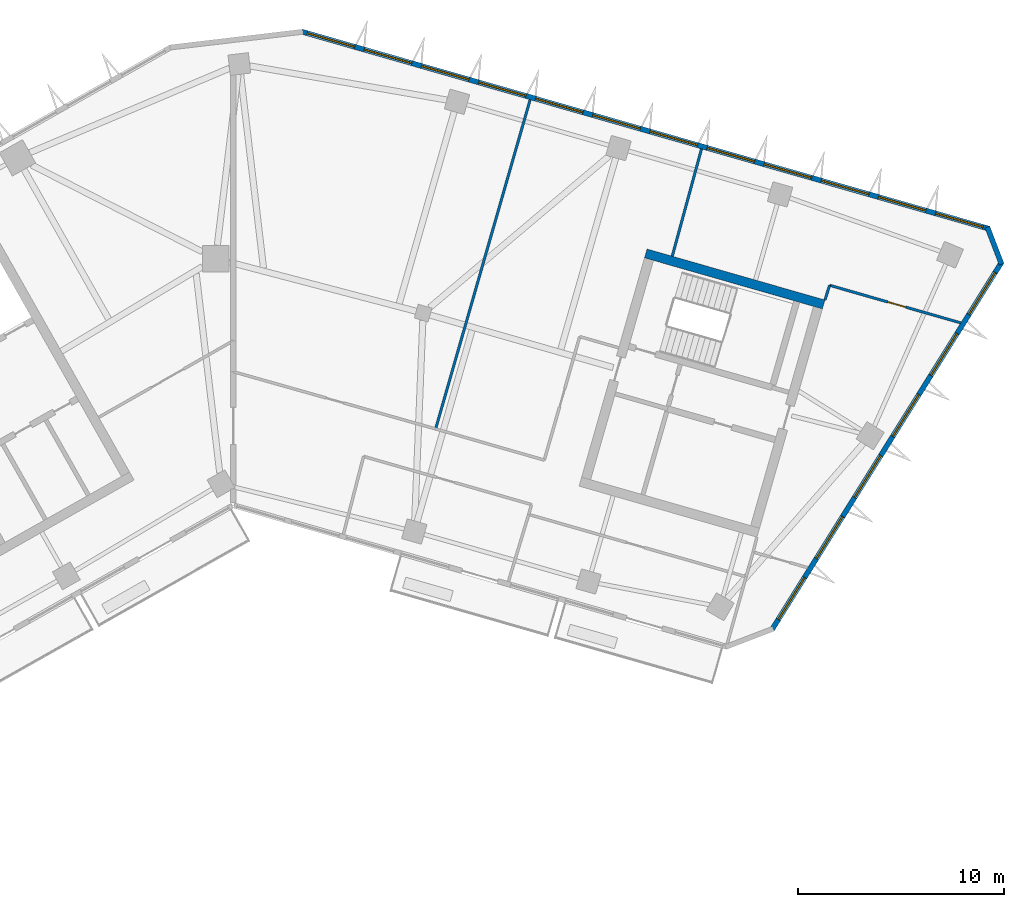
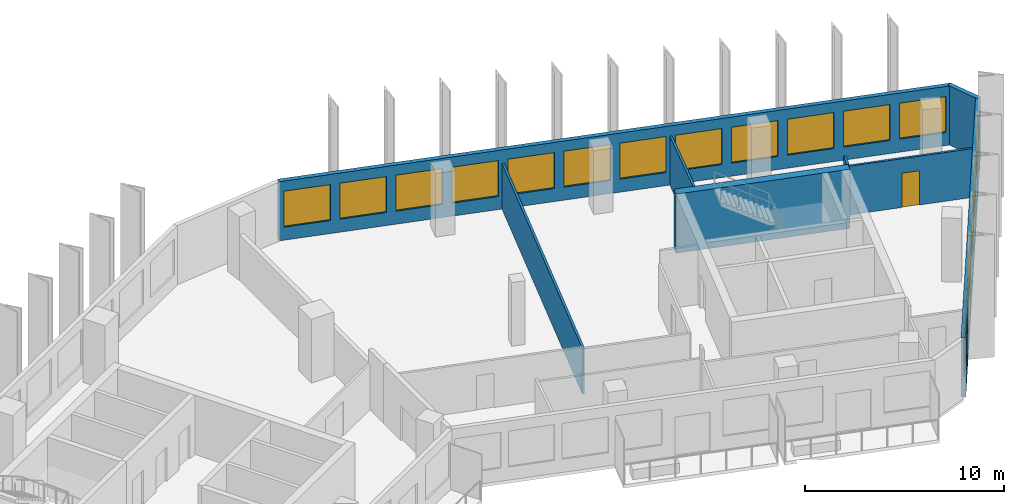
# One storey, part 8 of 12: 18 windows, 8 walls, 1 door, 19 openings.
"""IFC4 building model written with IfcOpenShell, lengths in metres."""

from ifc_helpers import new_model, si_unit, direction, frame, frame_2d, origin, place, context, subcontext, project, spatial, rectangle, extrude, material, layer, layer_set, type_object, element, fill, save


model = new_model("IFC4")

# Units and contexts
model_context = context("Model", 3, precision=1e-05, world=origin(), true_north=direction((0.0, 1.0)))
body_context = subcontext(model_context, "Body", "Model", "MODEL_VIEW")
ifc_project = project(units=[si_unit("LENGTHUNIT", "METRE"), si_unit("AREAUNIT", "SQUARE_METRE"), si_unit("VOLUMEUNIT", "CUBIC_METRE"), si_unit("PLANEANGLEUNIT", "RADIAN"), si_unit("MASSUNIT", "GRAM", prefix="KILO")], contexts=[model_context])

# Site, building, storey
site_placement = place(None, origin())
site = spatial("IfcSite", under=ifc_project, at=site_placement, CompositionType="ELEMENT")
building_placement = place(site_placement, origin())
building = spatial("IfcBuilding", under=site, at=building_placement, Name="Binnacle Exchange Tower", CompositionType="ELEMENT")
storey_placement = place(building_placement, frame((0.0, 0.0, 238.699951171875)))
storey = spatial("IfcBuildingStorey", under=building, at=storey_placement, Name="L52", CompositionType="ELEMENT", Elevation=238.699951171875)

# Wall
ifc_material_1 = material(Name="Concrete C70/85", Category="concrete")
ifc_layer_1 = layer(ifc_material_1, 0.449951171875)
ifc_layer_set_1 = layer_set([ifc_layer_1], Name="Core wall - outer 450")
wall_type_1 = type_object("IfcWallType", Name="Core wall - outer 450", PredefinedType="SOLIDWALL", material=ifc_layer_set_1)
wall_1_placement = place(storey_placement, frame((20.073486328125, 60.251708984375, 0.0), z_axis=(0.0, 0.0, 1.0), x_axis=(0.96126248289, -0.275634611374, 0.0)))
element("IfcWall", 1, at=wall_1_placement, inside=storey, type_object=wall_type_1, Name="Core wall CRWD6", PredefinedType="SOLIDWALL", context=body_context, shape_type="SweptSolid", body=[
    extrude(rectangle(XDim=9.0, YDim=0.449951171875, at=frame_2d((4.5, 0.0))), origin(), (0.0, 0.0, 1.0), 3.6201171875),
])

# Wall, openings, windows
ifc_material_2 = material(Name="Bronze aluminium cladding", Category="aluminium")
ifc_layer_2 = layer(ifc_material_2, 0.25)
ifc_layer_set_2 = layer_set([ifc_layer_2], Name="External wall - window wall 250")
wall_type_2 = type_object("IfcWallType", Name="External wall - window wall 250", PredefinedType="STANDARD", material=ifc_layer_set_2)
wall_2_placement = place(storey_placement, frame((37.392333984375, 59.84033203125, 0.0), z_axis=(0.0, 0.0, 1.0), x_axis=(-0.529919909431, -0.848047692992, 0.0)))
wall_2 = element("IfcWall", 2, at=wall_2_placement, inside=storey, type_object=wall_type_2, Name="External wall EW-G04 L52", PredefinedType="STANDARD", context=body_context, shape_type="SweptSolid", body=[
    extrude(rectangle(XDim=21.104248046875, YDim=0.25, at=frame_2d((10.55224609375, 0.0))), origin(), (0.0, 0.0, 1.0), 3.6201171875),
])
opening_1_placement = place(wall_2_placement, frame((18.1123046875, 0.0, 0.800048828125)))
opening_1 = element("IfcOpeningElement", 3, at=opening_1_placement, cuts=wall_2, Name="Opening WR1", PredefinedType="OPENING", context=body_context, shape_type="SweptSolid", body=[
    extrude(rectangle(XDim=2.39990234375, YDim=2.199951171875, at=frame_2d((1.199951171875, 1.10009765625))), frame((0.0, 0.135009765625, 0.0), z_axis=(0.0, -1.0, 0.0), x_axis=(1.0, 0.0, 0.0)), (0.0, 0.0, 1.0), 0.27001953125),
])
opening_2_placement = place(wall_2_placement, frame((14.6123046875, 0.0, 0.800048828125)))
opening_2 = element("IfcOpeningElement", 4, at=opening_2_placement, cuts=wall_2, Name="Opening WR1", PredefinedType="OPENING", context=body_context, shape_type="SweptSolid", body=[
    extrude(rectangle(XDim=2.39990234375, YDim=2.199951171875, at=frame_2d((1.199951171875, 1.10009765625))), frame((0.0, 0.135009765625, 0.0), z_axis=(0.0, -1.0, 0.0), x_axis=(1.0, 0.0, 0.0)), (0.0, 0.0, 1.0), 0.27001953125),
])
opening_3_placement = place(wall_2_placement, frame((11.1123046875, 0.0, 0.800048828125)))
opening_3 = element("IfcOpeningElement", 5, at=opening_3_placement, cuts=wall_2, Name="Opening WR1", PredefinedType="OPENING", context=body_context, shape_type="SweptSolid", body=[
    extrude(rectangle(XDim=2.39990234375, YDim=2.199951171875, at=frame_2d((1.199951171875, 1.10009765625))), frame((0.0, 0.135009765625, 0.0), z_axis=(0.0, -1.0, 0.0), x_axis=(1.0, 0.0, 0.0)), (0.0, 0.0, 1.0), 0.27001953125),
])
opening_4_placement = place(wall_2_placement, frame((7.6123046875, 0.0, 0.800048828125)))
opening_4 = element("IfcOpeningElement", 6, at=opening_4_placement, cuts=wall_2, Name="Opening WR1", PredefinedType="OPENING", context=body_context, shape_type="SweptSolid", body=[
    extrude(rectangle(XDim=2.39990234375, YDim=2.199951171875, at=frame_2d((1.199951171875, 1.10009765625))), frame((0.0, 0.135009765625, 0.0), z_axis=(0.0, -1.0, 0.0), x_axis=(1.0, 0.0, 0.0)), (0.0, 0.0, 1.0), 0.27001953125),
])
opening_5_placement = place(wall_2_placement, frame((4.1123046875, 0.0, 0.800048828125)))
opening_5 = element("IfcOpeningElement", 7, at=opening_5_placement, cuts=wall_2, Name="Opening WR1", PredefinedType="OPENING", context=body_context, shape_type="SweptSolid", body=[
    extrude(rectangle(XDim=2.39990234375, YDim=2.199951171875, at=frame_2d((1.199951171875, 1.10009765625))), frame((0.0, 0.135009765625, 0.0), z_axis=(0.0, -1.0, 0.0), x_axis=(1.0, 0.0, 0.0)), (0.0, 0.0, 1.0), 0.27001953125),
])
opening_6_placement = place(wall_2_placement, frame((0.6123046875, 0.0, 0.800048828125)))
opening_6 = element("IfcOpeningElement", 8, at=opening_6_placement, cuts=wall_2, Name="Opening WR1", PredefinedType="OPENING", context=body_context, shape_type="SweptSolid", body=[
    extrude(rectangle(XDim=2.39990234375, YDim=2.199951171875, at=frame_2d((1.199951171875, 1.10009765625))), frame((0.0, 0.135009765625, 0.0), z_axis=(0.0, -1.0, 0.0), x_axis=(1.0, 0.0, 0.0)), (0.0, 0.0, 1.0), 0.27001953125),
])
ifc_material_3 = material(Name="Bronze anodised aluminium frame", Category="aluminium")
window_type = type_object("IfcWindowType", Name="WR1 WINDOW 2400x2200", PartitioningType="SINGLE_PANEL", PredefinedType="WINDOW", material=ifc_material_3)
window_1_placement = place(opening_1_placement, origin())
window_1 = element("IfcWindow", 9, at=window_1_placement, inside=storey, type_object=window_type, Name="Window WR1 L52", OverallHeight=2.199951171875, OverallWidth=2.39990234375, PartitioningType="SINGLE_PANEL", PredefinedType="WINDOW", context=body_context, shape_type="SweptSolid", body=[
    extrude(rectangle(XDim=2.39990234375, YDim=2.199951171875, at=frame_2d((1.199951171875, 1.10009765625))), frame((0.0, 0.030029296875, 0.0), z_axis=(0.0, -1.0, 0.0), x_axis=(1.0, 0.0, 0.0)), (0.0, 0.0, 1.0), 0.06005859375),
])
fill(opening_1, window_1)
window_2_placement = place(opening_2_placement, origin())
window_2 = element("IfcWindow", 10, at=window_2_placement, inside=storey, type_object=window_type, Name="Window WR1 L52", OverallHeight=2.199951171875, OverallWidth=2.39990234375, PartitioningType="SINGLE_PANEL", PredefinedType="WINDOW", context=body_context, shape_type="SweptSolid", body=[
    extrude(rectangle(XDim=2.39990234375, YDim=2.199951171875, at=frame_2d((1.199951171875, 1.10009765625))), frame((0.0, 0.030029296875, 0.0), z_axis=(0.0, -1.0, 0.0), x_axis=(1.0, 0.0, 0.0)), (0.0, 0.0, 1.0), 0.06005859375),
])
fill(opening_2, window_2)
window_3_placement = place(opening_3_placement, origin())
window_3 = element("IfcWindow", 11, at=window_3_placement, inside=storey, type_object=window_type, Name="Window WR1 L52", OverallHeight=2.199951171875, OverallWidth=2.39990234375, PartitioningType="SINGLE_PANEL", PredefinedType="WINDOW", context=body_context, shape_type="SweptSolid", body=[
    extrude(rectangle(XDim=2.39990234375, YDim=2.199951171875, at=frame_2d((1.199951171875, 1.10009765625))), frame((0.0, 0.030029296875, 0.0), z_axis=(0.0, -1.0, 0.0), x_axis=(1.0, 0.0, 0.0)), (0.0, 0.0, 1.0), 0.06005859375),
])
fill(opening_3, window_3)
window_4_placement = place(opening_4_placement, origin())
window_4 = element("IfcWindow", 12, at=window_4_placement, inside=storey, type_object=window_type, Name="Window WR1 L52", OverallHeight=2.199951171875, OverallWidth=2.39990234375, PartitioningType="SINGLE_PANEL", PredefinedType="WINDOW", context=body_context, shape_type="SweptSolid", body=[
    extrude(rectangle(XDim=2.39990234375, YDim=2.199951171875, at=frame_2d((1.199951171875, 1.10009765625))), frame((0.0, 0.030029296875, 0.0), z_axis=(0.0, -1.0, 0.0), x_axis=(1.0, 0.0, 0.0)), (0.0, 0.0, 1.0), 0.06005859375),
])
fill(opening_4, window_4)
window_5_placement = place(opening_5_placement, origin())
window_5 = element("IfcWindow", 13, at=window_5_placement, inside=storey, type_object=window_type, Name="Window WR1 L52", OverallHeight=2.199951171875, OverallWidth=2.39990234375, PartitioningType="SINGLE_PANEL", PredefinedType="WINDOW", context=body_context, shape_type="SweptSolid", body=[
    extrude(rectangle(XDim=2.39990234375, YDim=2.199951171875, at=frame_2d((1.199951171875, 1.10009765625))), frame((0.0, 0.030029296875, 0.0), z_axis=(0.0, -1.0, 0.0), x_axis=(1.0, 0.0, 0.0)), (0.0, 0.0, 1.0), 0.06005859375),
])
fill(opening_5, window_5)
window_6_placement = place(opening_6_placement, origin())
window_6 = element("IfcWindow", 14, at=window_6_placement, inside=storey, type_object=window_type, Name="Window WR1 L52", OverallHeight=2.199951171875, OverallWidth=2.39990234375, PartitioningType="SINGLE_PANEL", PredefinedType="WINDOW", context=body_context, shape_type="SweptSolid", body=[
    extrude(rectangle(XDim=2.39990234375, YDim=2.199951171875, at=frame_2d((1.199951171875, 1.10009765625))), frame((0.0, 0.030029296875, 0.0), z_axis=(0.0, -1.0, 0.0), x_axis=(1.0, 0.0, 0.0)), (0.0, 0.0, 1.0), 0.06005859375),
])
fill(opening_6, window_6)

# Wall
wall_3_placement = place(storey_placement, frame((36.68994140625, 61.531005859375, 0.0), z_axis=(0.0, 0.0, 1.0), x_axis=(0.358377147136, -0.933576895821, 0.0)))
element("IfcWall", 15, at=wall_3_placement, inside=storey, type_object=wall_type_2, Name="External wall EW-G05 L52", PredefinedType="STANDARD", context=body_context, shape_type="SweptSolid", body=[
    extrude(rectangle(XDim=1.929931640625, YDim=0.25, at=frame_2d((0.96484375, 0.0))), origin(), (0.0, 0.0, 1.0), 3.6201171875),
])

# Wall, openings, windows
wall_4_placement = place(storey_placement, frame((3.34033203125, 71.042236328125, 0.0), z_axis=(0.0, 0.0, 1.0), x_axis=(0.96126179431, -0.275637012753, 0.0)))
wall_4 = element("IfcWall", 16, at=wall_4_placement, inside=storey, type_object=wall_type_2, Name="External wall EW-G06 L52", PredefinedType="STANDARD", context=body_context, shape_type="SweptSolid", body=[
    extrude(rectangle(XDim=34.779052734375, YDim=0.25, at=frame_2d((17.3896484375, 0.0))), origin(), (0.0, 0.0, 1.0), 3.6201171875),
])
opening_7_placement = place(wall_4_placement, frame((32.0712890625, 0.0, 0.800048828125)))
opening_7 = element("IfcOpeningElement", 17, at=opening_7_placement, cuts=wall_4, Name="Opening WR1", PredefinedType="OPENING", context=body_context, shape_type="SweptSolid", body=[
    extrude(rectangle(XDim=2.39990234375, YDim=2.199951171875, at=frame_2d((1.199951171875, 1.10009765625))), frame((0.0, 0.135009765625, 0.0), z_axis=(0.0, -1.0, 0.0), x_axis=(1.0, 0.0, 0.0)), (0.0, 0.0, 1.0), 0.27001953125),
])
opening_8_placement = place(wall_4_placement, frame((29.180419921875, 0.0, 0.800048828125)))
opening_8 = element("IfcOpeningElement", 18, at=opening_8_placement, cuts=wall_4, Name="Opening WR1", PredefinedType="OPENING", context=body_context, shape_type="SweptSolid", body=[
    extrude(rectangle(XDim=2.39990234375, YDim=2.199951171875, at=frame_2d((1.199951171875, 1.10009765625))), frame((0.0, 0.135009765625, 0.0), z_axis=(0.0, -1.0, 0.0), x_axis=(1.0, 0.0, 0.0)), (0.0, 0.0, 1.0), 0.27001953125),
])
opening_9_placement = place(wall_4_placement, frame((26.289306640625, 0.0, 0.800048828125)))
opening_9 = element("IfcOpeningElement", 19, at=opening_9_placement, cuts=wall_4, Name="Opening WR1", PredefinedType="OPENING", context=body_context, shape_type="SweptSolid", body=[
    extrude(rectangle(XDim=2.39990234375, YDim=2.199951171875, at=frame_2d((1.199951171875, 1.10009765625))), frame((0.0, 0.135009765625, 0.0), z_axis=(0.0, -1.0, 0.0), x_axis=(1.0, 0.0, 0.0)), (0.0, 0.0, 1.0), 0.27001953125),
])
opening_10_placement = place(wall_4_placement, frame((23.3984375, 0.0, 0.800048828125)))
opening_10 = element("IfcOpeningElement", 20, at=opening_10_placement, cuts=wall_4, Name="Opening WR1", PredefinedType="OPENING", context=body_context, shape_type="SweptSolid", body=[
    extrude(rectangle(XDim=2.39990234375, YDim=2.199951171875, at=frame_2d((1.199951171875, 1.10009765625))), frame((0.0, 0.135009765625, 0.0), z_axis=(0.0, -1.0, 0.0), x_axis=(1.0, 0.0, 0.0)), (0.0, 0.0, 1.0), 0.27001953125),
])
opening_11_placement = place(wall_4_placement, frame((20.507568359375, 0.0, 0.800048828125)))
opening_11 = element("IfcOpeningElement", 21, at=opening_11_placement, cuts=wall_4, Name="Opening WR1", PredefinedType="OPENING", context=body_context, shape_type="SweptSolid", body=[
    extrude(rectangle(XDim=2.39990234375, YDim=2.199951171875, at=frame_2d((1.199951171875, 1.10009765625))), frame((0.0, 0.135009765625, 0.0), z_axis=(0.0, -1.0, 0.0), x_axis=(1.0, 0.0, 0.0)), (0.0, 0.0, 1.0), 0.27001953125),
])
opening_12_placement = place(wall_4_placement, frame((17.616455078125, 0.0, 0.800048828125)))
opening_12 = element("IfcOpeningElement", 22, at=opening_12_placement, cuts=wall_4, Name="Opening WR1", PredefinedType="OPENING", context=body_context, shape_type="SweptSolid", body=[
    extrude(rectangle(XDim=2.39990234375, YDim=2.199951171875, at=frame_2d((1.199951171875, 1.10009765625))), frame((0.0, 0.135009765625, 0.0), z_axis=(0.0, -1.0, 0.0), x_axis=(1.0, 0.0, 0.0)), (0.0, 0.0, 1.0), 0.27001953125),
])
opening_13_placement = place(wall_4_placement, frame((14.7255859375, 0.0, 0.800048828125)))
opening_13 = element("IfcOpeningElement", 23, at=opening_13_placement, cuts=wall_4, Name="Opening WR1", PredefinedType="OPENING", context=body_context, shape_type="SweptSolid", body=[
    extrude(rectangle(XDim=2.39990234375, YDim=2.199951171875, at=frame_2d((1.199951171875, 1.10009765625))), frame((0.0, 0.135009765625, 0.0), z_axis=(0.0, -1.0, 0.0), x_axis=(1.0, 0.0, 0.0)), (0.0, 0.0, 1.0), 0.27001953125),
])
opening_14_placement = place(wall_4_placement, frame((11.83447265625, 0.0, 0.800048828125)))
opening_14 = element("IfcOpeningElement", 24, at=opening_14_placement, cuts=wall_4, Name="Opening WR1", PredefinedType="OPENING", context=body_context, shape_type="SweptSolid", body=[
    extrude(rectangle(XDim=2.39990234375, YDim=2.199951171875, at=frame_2d((1.199951171875, 1.10009765625))), frame((0.0, 0.135009765625, 0.0), z_axis=(0.0, -1.0, 0.0), x_axis=(1.0, 0.0, 0.0)), (0.0, 0.0, 1.0), 0.27001953125),
])
opening_15_placement = place(wall_4_placement, frame((8.943603515625, 0.0, 0.800048828125)))
opening_15 = element("IfcOpeningElement", 25, at=opening_15_placement, cuts=wall_4, Name="Opening WR1", PredefinedType="OPENING", context=body_context, shape_type="SweptSolid", body=[
    extrude(rectangle(XDim=2.39990234375, YDim=2.199951171875, at=frame_2d((1.199951171875, 1.10009765625))), frame((0.0, 0.135009765625, 0.0), z_axis=(0.0, -1.0, 0.0), x_axis=(1.0, 0.0, 0.0)), (0.0, 0.0, 1.0), 0.27001953125),
])
opening_16_placement = place(wall_4_placement, frame((6.052490234375, 0.0, 0.800048828125)))
opening_16 = element("IfcOpeningElement", 26, at=opening_16_placement, cuts=wall_4, Name="Opening WR1", PredefinedType="OPENING", context=body_context, shape_type="SweptSolid", body=[
    extrude(rectangle(XDim=2.39990234375, YDim=2.199951171875, at=frame_2d((1.199951171875, 1.10009765625))), frame((0.0, 0.135009765625, 0.0), z_axis=(0.0, -1.0, 0.0), x_axis=(1.0, 0.0, 0.0)), (0.0, 0.0, 1.0), 0.27001953125),
])
opening_17_placement = place(wall_4_placement, frame((3.16162109375, 0.0, 0.800048828125)))
opening_17 = element("IfcOpeningElement", 27, at=opening_17_placement, cuts=wall_4, Name="Opening WR1", PredefinedType="OPENING", context=body_context, shape_type="SweptSolid", body=[
    extrude(rectangle(XDim=2.39990234375, YDim=2.199951171875, at=frame_2d((1.199951171875, 1.10009765625))), frame((0.0, 0.135009765625, 0.0), z_axis=(0.0, -1.0, 0.0), x_axis=(1.0, 0.0, 0.0)), (0.0, 0.0, 1.0), 0.27001953125),
])
opening_18_placement = place(wall_4_placement, frame((0.2705078125, 0.0, 0.800048828125)))
opening_18 = element("IfcOpeningElement", 28, at=opening_18_placement, cuts=wall_4, Name="Opening WR1", PredefinedType="OPENING", context=body_context, shape_type="SweptSolid", body=[
    extrude(rectangle(XDim=2.39990234375, YDim=2.199951171875, at=frame_2d((1.199951171875, 1.10009765625))), frame((0.0, 0.135009765625, 0.0), z_axis=(0.0, -1.0, 0.0), x_axis=(1.0, 0.0, 0.0)), (0.0, 0.0, 1.0), 0.27001953125),
])
window_7_placement = place(opening_7_placement, origin())
window_7 = element("IfcWindow", 29, at=window_7_placement, inside=storey, type_object=window_type, Name="Window WR1 L52", OverallHeight=2.199951171875, OverallWidth=2.39990234375, PartitioningType="SINGLE_PANEL", PredefinedType="WINDOW", context=body_context, shape_type="SweptSolid", body=[
    extrude(rectangle(XDim=2.39990234375, YDim=2.199951171875, at=frame_2d((1.199951171875, 1.10009765625))), frame((0.0, 0.030029296875, 0.0), z_axis=(0.0, -1.0, 0.0), x_axis=(1.0, 0.0, 0.0)), (0.0, 0.0, 1.0), 0.06005859375),
])
fill(opening_7, window_7)
window_8_placement = place(opening_8_placement, origin())
window_8 = element("IfcWindow", 30, at=window_8_placement, inside=storey, type_object=window_type, Name="Window WR1 L52", OverallHeight=2.199951171875, OverallWidth=2.39990234375, PartitioningType="SINGLE_PANEL", PredefinedType="WINDOW", context=body_context, shape_type="SweptSolid", body=[
    extrude(rectangle(XDim=2.39990234375, YDim=2.199951171875, at=frame_2d((1.199951171875, 1.10009765625))), frame((0.0, 0.030029296875, 0.0), z_axis=(0.0, -1.0, 0.0), x_axis=(1.0, 0.0, 0.0)), (0.0, 0.0, 1.0), 0.06005859375),
])
fill(opening_8, window_8)
window_9_placement = place(opening_9_placement, origin())
window_9 = element("IfcWindow", 31, at=window_9_placement, inside=storey, type_object=window_type, Name="Window WR1 L52", OverallHeight=2.199951171875, OverallWidth=2.39990234375, PartitioningType="SINGLE_PANEL", PredefinedType="WINDOW", context=body_context, shape_type="SweptSolid", body=[
    extrude(rectangle(XDim=2.39990234375, YDim=2.199951171875, at=frame_2d((1.199951171875, 1.10009765625))), frame((0.0, 0.030029296875, 0.0), z_axis=(0.0, -1.0, 0.0), x_axis=(1.0, 0.0, 0.0)), (0.0, 0.0, 1.0), 0.06005859375),
])
fill(opening_9, window_9)
window_10_placement = place(opening_10_placement, origin())
window_10 = element("IfcWindow", 32, at=window_10_placement, inside=storey, type_object=window_type, Name="Window WR1 L52", OverallHeight=2.199951171875, OverallWidth=2.39990234375, PartitioningType="SINGLE_PANEL", PredefinedType="WINDOW", context=body_context, shape_type="SweptSolid", body=[
    extrude(rectangle(XDim=2.39990234375, YDim=2.199951171875, at=frame_2d((1.199951171875, 1.10009765625))), frame((0.0, 0.030029296875, 0.0), z_axis=(0.0, -1.0, 0.0), x_axis=(1.0, 0.0, 0.0)), (0.0, 0.0, 1.0), 0.06005859375),
])
fill(opening_10, window_10)
window_11_placement = place(opening_11_placement, origin())
window_11 = element("IfcWindow", 33, at=window_11_placement, inside=storey, type_object=window_type, Name="Window WR1 L52", OverallHeight=2.199951171875, OverallWidth=2.39990234375, PartitioningType="SINGLE_PANEL", PredefinedType="WINDOW", context=body_context, shape_type="SweptSolid", body=[
    extrude(rectangle(XDim=2.39990234375, YDim=2.199951171875, at=frame_2d((1.199951171875, 1.10009765625))), frame((0.0, 0.030029296875, 0.0), z_axis=(0.0, -1.0, 0.0), x_axis=(1.0, 0.0, 0.0)), (0.0, 0.0, 1.0), 0.06005859375),
])
fill(opening_11, window_11)
window_12_placement = place(opening_12_placement, origin())
window_12 = element("IfcWindow", 34, at=window_12_placement, inside=storey, type_object=window_type, Name="Window WR1 L52", OverallHeight=2.199951171875, OverallWidth=2.39990234375, PartitioningType="SINGLE_PANEL", PredefinedType="WINDOW", context=body_context, shape_type="SweptSolid", body=[
    extrude(rectangle(XDim=2.39990234375, YDim=2.199951171875, at=frame_2d((1.199951171875, 1.10009765625))), frame((0.0, 0.030029296875, 0.0), z_axis=(0.0, -1.0, 0.0), x_axis=(1.0, 0.0, 0.0)), (0.0, 0.0, 1.0), 0.06005859375),
])
fill(opening_12, window_12)
window_13_placement = place(opening_13_placement, origin())
window_13 = element("IfcWindow", 35, at=window_13_placement, inside=storey, type_object=window_type, Name="Window WR1 L52", OverallHeight=2.199951171875, OverallWidth=2.39990234375, PartitioningType="SINGLE_PANEL", PredefinedType="WINDOW", context=body_context, shape_type="SweptSolid", body=[
    extrude(rectangle(XDim=2.39990234375, YDim=2.199951171875, at=frame_2d((1.199951171875, 1.10009765625))), frame((0.0, 0.030029296875, 0.0), z_axis=(0.0, -1.0, 0.0), x_axis=(1.0, 0.0, 0.0)), (0.0, 0.0, 1.0), 0.06005859375),
])
fill(opening_13, window_13)
window_14_placement = place(opening_14_placement, origin())
window_14 = element("IfcWindow", 36, at=window_14_placement, inside=storey, type_object=window_type, Name="Window WR1 L52", OverallHeight=2.199951171875, OverallWidth=2.39990234375, PartitioningType="SINGLE_PANEL", PredefinedType="WINDOW", context=body_context, shape_type="SweptSolid", body=[
    extrude(rectangle(XDim=2.39990234375, YDim=2.199951171875, at=frame_2d((1.199951171875, 1.10009765625))), frame((0.0, 0.030029296875, 0.0), z_axis=(0.0, -1.0, 0.0), x_axis=(1.0, 0.0, 0.0)), (0.0, 0.0, 1.0), 0.06005859375),
])
fill(opening_14, window_14)
window_15_placement = place(opening_15_placement, origin())
window_15 = element("IfcWindow", 37, at=window_15_placement, inside=storey, type_object=window_type, Name="Window WR1 L52", OverallHeight=2.199951171875, OverallWidth=2.39990234375, PartitioningType="SINGLE_PANEL", PredefinedType="WINDOW", context=body_context, shape_type="SweptSolid", body=[
    extrude(rectangle(XDim=2.39990234375, YDim=2.199951171875, at=frame_2d((1.199951171875, 1.10009765625))), frame((0.0, 0.030029296875, 0.0), z_axis=(0.0, -1.0, 0.0), x_axis=(1.0, 0.0, 0.0)), (0.0, 0.0, 1.0), 0.06005859375),
])
fill(opening_15, window_15)
window_16_placement = place(opening_16_placement, origin())
window_16 = element("IfcWindow", 38, at=window_16_placement, inside=storey, type_object=window_type, Name="Window WR1 L52", OverallHeight=2.199951171875, OverallWidth=2.39990234375, PartitioningType="SINGLE_PANEL", PredefinedType="WINDOW", context=body_context, shape_type="SweptSolid", body=[
    extrude(rectangle(XDim=2.39990234375, YDim=2.199951171875, at=frame_2d((1.199951171875, 1.10009765625))), frame((0.0, 0.030029296875, 0.0), z_axis=(0.0, -1.0, 0.0), x_axis=(1.0, 0.0, 0.0)), (0.0, 0.0, 1.0), 0.06005859375),
])
fill(opening_16, window_16)
window_17_placement = place(opening_17_placement, origin())
window_17 = element("IfcWindow", 39, at=window_17_placement, inside=storey, type_object=window_type, Name="Window WR1 L52", OverallHeight=2.199951171875, OverallWidth=2.39990234375, PartitioningType="SINGLE_PANEL", PredefinedType="WINDOW", context=body_context, shape_type="SweptSolid", body=[
    extrude(rectangle(XDim=2.39990234375, YDim=2.199951171875, at=frame_2d((1.199951171875, 1.10009765625))), frame((0.0, 0.030029296875, 0.0), z_axis=(0.0, -1.0, 0.0), x_axis=(1.0, 0.0, 0.0)), (0.0, 0.0, 1.0), 0.06005859375),
])
fill(opening_17, window_17)
window_18_placement = place(opening_18_placement, origin())
window_18 = element("IfcWindow", 40, at=window_18_placement, inside=storey, type_object=window_type, Name="Window WR1 L52", OverallHeight=2.199951171875, OverallWidth=2.39990234375, PartitioningType="SINGLE_PANEL", PredefinedType="WINDOW", context=body_context, shape_type="SweptSolid", body=[
    extrude(rectangle(XDim=2.39990234375, YDim=2.199951171875, at=frame_2d((1.199951171875, 1.10009765625))), frame((0.0, 0.030029296875, 0.0), z_axis=(0.0, -1.0, 0.0), x_axis=(1.0, 0.0, 0.0)), (0.0, 0.0, 1.0), 0.06005859375),
])
fill(opening_18, window_18)

# Walls
ifc_material_4 = material(Name="Gypsum partition")
ifc_layer_3 = layer(ifc_material_4, 0.125)
ifc_layer_set_3 = layer_set([ifc_layer_3], Name="Partition 125")
wall_type_3 = type_object("IfcWallType", Name="Partition 125", PredefinedType="PARTITIONING", material=ifc_layer_set_3)
wall_5_placement = place(storey_placement, frame((9.847900390625, 51.715087890625, 0.0), z_axis=(0.0, 0.0, 1.0), x_axis=(0.27594414117, 0.961173673669, 0.0)))
element("IfcWall", 41, at=wall_5_placement, inside=storey, type_object=wall_type_3, Name="Partition W23", PredefinedType="PARTITIONING", context=body_context, shape_type="SweptSolid", body=[
    extrude(rectangle(XDim=16.65966796875, YDim=0.125, at=frame_2d((8.329833984375, 0.0))), origin(), (0.0, 0.0, 1.0), 2.7919921875),
])
wall_6_placement = place(storey_placement, frame((21.360107421875, 60.116943359375, 0.0), z_axis=(0.0, 0.0, 1.0), x_axis=(0.263151767798, 0.964754449124, 0.0)))
element("IfcWall", 42, at=wall_6_placement, inside=storey, type_object=wall_type_3, Name="Partition W30", PredefinedType="PARTITIONING", context=body_context, shape_type="SweptSolid", body=[
    extrude(rectangle(XDim=5.41064453125, YDim=0.125, at=frame_2d((2.705322265625, 0.0))), origin(), (0.0, 0.0, 1.0), 3.0),
])
wall_7_placement = place(storey_placement, frame((28.787109375, 57.987060546875, 0.0), z_axis=(0.0, 0.0, 1.0), x_axis=(0.305082548948, 0.952325909722, 0.0)))
element("IfcWall", 43, at=wall_7_placement, inside=storey, type_object=wall_type_3, Name="Partition W35", PredefinedType="PARTITIONING", context=body_context, shape_type="SweptSolid", body=[
    extrude(rectangle(XDim=0.750732421875, YDim=0.125, at=frame_2d((0.37548828125, 0.0))), origin(), (0.0, 0.0, 1.0), 3.6201171875),
])

# Wall, opening, door
wall_8_placement = place(storey_placement, frame((29.01611328125, 58.701904296875, 0.0), z_axis=(0.0, 0.0, 1.0), x_axis=(0.961266529031, -0.275620500262, 0.0)))
wall_8 = element("IfcWall", 44, at=wall_8_placement, inside=storey, type_object=wall_type_3, Name="Partition W36", PredefinedType="PARTITIONING", context=body_context, shape_type="SweptSolid", body=[
    extrude(rectangle(XDim=6.6318359375, YDim=0.125, at=frame_2d((3.31591796875, 0.0))), origin(), (0.0, 0.0, 1.0), 2.988037109375),
])
opening_19_placement = place(wall_8_placement, frame((2.949951171875, 0.0, 0.0)))
opening_19 = element("IfcOpeningElement", 45, at=opening_19_placement, cuts=wall_8, Name="Opening DL52-10", PredefinedType="OPENING", context=body_context, shape_type="SweptSolid", body=[
    extrude(rectangle(XDim=0.89990234375, YDim=2.10009765625, at=frame_2d((0.449951171875, 1.050048828125))), frame((0.0, 0.072509765625, 0.0), z_axis=(0.0, -1.0, 0.0), x_axis=(1.0, 0.0, 0.0)), (0.0, 0.0, 1.0), 0.14501953125),
])
ifc_material_5 = material(Name="Timber door leaf", Category="wood")
door_type = type_object("IfcDoorType", Name="Door 900", OperationType="NOTDEFINED", PredefinedType="DOOR", material=ifc_material_5)
door_placement = place(opening_19_placement, origin())
door = element("IfcDoor", 46, at=door_placement, inside=storey, type_object=door_type, Name="Door DL52-10", OperationType="SINGLE_SWING_RIGHT", OverallHeight=2.10009765625, OverallWidth=0.89990234375, PredefinedType="DOOR", context=body_context, shape_type="SweptSolid", body=[
    extrude(rectangle(XDim=0.89990234375, YDim=2.10009765625, at=frame_2d((0.449951171875, 1.050048828125))), frame((0.0, 0.02490234375, 0.0), z_axis=(0.0, -1.0, 0.0), x_axis=(1.0, 0.0, 0.0)), (0.0, 0.0, 1.0), 0.050048828125),
])
fill(opening_19, door)

save(model, "model.ifc")
